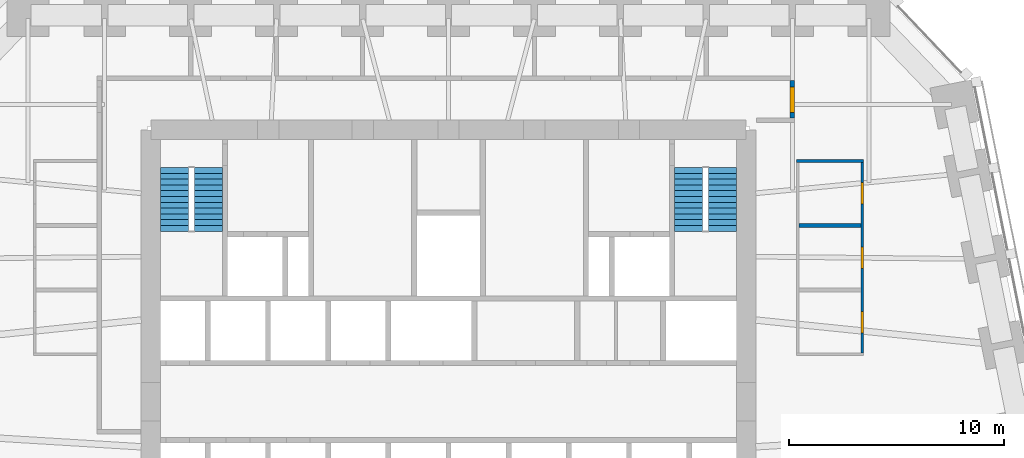
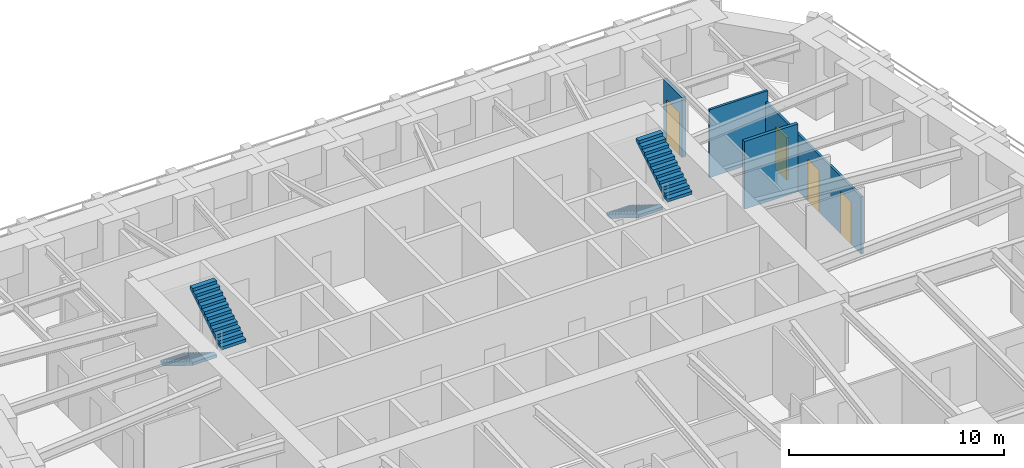
# One storey, part 8 of 10: 4 doors, 4 stair flights, 4 walls, 4 openings, 2 elements without a shape of their own.
"""IFC4 building model written with IfcOpenShell, lengths in metres."""

from ifc_helpers import new_model, si_unit, direction, frame, frame_2d, origin, place, context, subcontext, project, spatial, polyline, rectangle, outline, extrude, material, layer, layer_set, type_object, element, fill, aggregate, save


model = new_model("IFC4")

# Units and contexts
model_context = context("Model", 3, precision=1e-05, world=origin(), true_north=direction((0.0, 1.0)))
body_context = subcontext(model_context, "Body", "Model", "MODEL_VIEW")
ifc_project = project(units=[si_unit("LENGTHUNIT", "METRE"), si_unit("AREAUNIT", "SQUARE_METRE"), si_unit("VOLUMEUNIT", "CUBIC_METRE"), si_unit("PLANEANGLEUNIT", "RADIAN"), si_unit("MASSUNIT", "GRAM", prefix="KILO")], contexts=[model_context])

# Site, building, storey
site_placement = place(None, origin())
site = spatial("IfcSite", under=ifc_project, at=site_placement, CompositionType="ELEMENT")
building_placement = place(site_placement, origin())
building = spatial("IfcBuilding", under=site, at=building_placement, Name="Isbrekke Arena Tower", CompositionType="ELEMENT")
storey_placement = place(building_placement, frame((0.0, 0.0, 72.0)))
storey = spatial("IfcBuildingStorey", under=building, at=storey_placement, Name="L15", CompositionType="ELEMENT", Elevation=72.0)

# Wall
ifc_material_1 = material(Name="Frameless glazed partition, laminated acoustic glass", Category="glass")
ifc_layer_1 = layer(ifc_material_1, 0.1201171875)
ifc_layer_set_1 = layer_set([ifc_layer_1], Name="IW2 GLAZED PARTITION 120")
wall_type_1 = type_object("IfcWallType", Name="IW2 GLAZED PARTITION 120", PredefinedType="PARTITIONING", material=ifc_layer_set_1)
wall_1_placement = place(storey_placement, frame((16.18994140625, 22.39990234375, 0.0), z_axis=(0.0, 0.0, 1.0), x_axis=(1.0, 0.0, 0.0)))
element("IfcWall", 1, at=wall_1_placement, inside=storey, type_object=wall_type_1, Name="IW2 glazed partition 120 L15", PredefinedType="PARTITIONING", context=body_context, shape_type="SweptSolid", body=[
    extrude(rectangle(XDim=3.1201171875, YDim=0.1201171875, at=frame_2d((1.56005859375, 0.0))), origin(), (0.0, 0.0, 1.0), 3.85009765625),
])

# Wall, openings, doors
wall_2_placement = place(storey_placement, frame((19.25, 13.4599609375, 0.0), z_axis=(0.0, 0.0, 1.0), x_axis=(0.0, 1.0, 0.0)))
wall_2 = element("IfcWall", 2, at=wall_2_placement, inside=storey, type_object=wall_type_1, Name="IW2 glazed partition 120 L15", PredefinedType="PARTITIONING", context=body_context, shape_type="SweptSolid", body=[
    extrude(rectangle(XDim=8.880126953125, YDim=0.1201171875, at=frame_2d((4.43994140625, 0.0))), origin(), (0.0, 0.0, 1.0), 3.25),
])
opening_1_placement = place(wall_2_placement, frame((0.93994140625, 0.0, 0.0)))
opening_1 = element("IfcOpeningElement", 3, at=opening_1_placement, cuts=wall_2, Name="Opening D11", PredefinedType="OPENING", context=body_context, shape_type="SweptSolid", body=[
    extrude(rectangle(XDim=1.0, YDim=2.39990234375, at=frame_2d((0.5, 1.199951171875))), frame((0.0, 0.074951171875, 0.0), z_axis=(0.0, -1.0, 0.0), x_axis=(1.0, 0.0, 0.0)), (0.0, 0.0, 1.0), 0.14990234375),
])
opening_2_placement = place(wall_2_placement, frame((3.93994140625, 0.0, 0.0)))
opening_2 = element("IfcOpeningElement", 4, at=opening_2_placement, cuts=wall_2, Name="Opening D11", PredefinedType="OPENING", context=body_context, shape_type="SweptSolid", body=[
    extrude(rectangle(XDim=1.0, YDim=2.39990234375, at=frame_2d((0.5, 1.199951171875))), frame((0.0, 0.074951171875, 0.0), z_axis=(0.0, -1.0, 0.0), x_axis=(1.0, 0.0, 0.0)), (0.0, 0.0, 1.0), 0.14990234375),
])
opening_3_placement = place(wall_2_placement, frame((6.93994140625, 0.0, 0.0)))
opening_3 = element("IfcOpeningElement", 5, at=opening_3_placement, cuts=wall_2, Name="Opening D11", PredefinedType="OPENING", context=body_context, shape_type="SweptSolid", body=[
    extrude(rectangle(XDim=1.0, YDim=2.39990234375, at=frame_2d((0.5, 1.199951171875))), frame((0.0, 0.074951171875, 0.0), z_axis=(0.0, -1.0, 0.0), x_axis=(1.0, 0.0, 0.0)), (0.0, 0.0, 1.0), 0.14990234375),
])
ifc_material_2 = material(Name="Frameless glazed door", Category="glass")
door_type_1 = type_object("IfcDoorType", Name="D11 GLAZED MEETING ROOM DOOR 1000 x 2400", OperationType="SINGLE_SWING_RIGHT", PredefinedType="DOOR", material=ifc_material_2)
door_1_placement = place(opening_1_placement, origin())
door_1 = element("IfcDoor", 6, at=door_1_placement, inside=storey, type_object=door_type_1, Name="D11 quiet room door L15", OperationType="SINGLE_SWING_RIGHT", OverallHeight=2.39990234375, OverallWidth=1.0, PredefinedType="DOOR", context=body_context, shape_type="SweptSolid", body=[
    extrude(rectangle(XDim=1.0, YDim=2.39990234375, at=frame_2d((0.5, 1.199951171875))), frame((0.0, 0.059814453125, 0.0), z_axis=(0.0, -1.0, 0.0), x_axis=(1.0, 0.0, 0.0)), (0.0, 0.0, 1.0), 0.11962890625),
])
fill(opening_1, door_1)
door_2_placement = place(opening_2_placement, origin())
door_2 = element("IfcDoor", 7, at=door_2_placement, inside=storey, type_object=door_type_1, Name="D11 quiet room door L15", OperationType="SINGLE_SWING_RIGHT", OverallHeight=2.39990234375, OverallWidth=1.0, PredefinedType="DOOR", context=body_context, shape_type="SweptSolid", body=[
    extrude(rectangle(XDim=1.0, YDim=2.39990234375, at=frame_2d((0.5, 1.199951171875))), frame((0.0, 0.059814453125, 0.0), z_axis=(0.0, -1.0, 0.0), x_axis=(1.0, 0.0, 0.0)), (0.0, 0.0, 1.0), 0.11962890625),
])
fill(opening_2, door_2)
door_3_placement = place(opening_3_placement, origin())
door_3 = element("IfcDoor", 8, at=door_3_placement, inside=storey, type_object=door_type_1, Name="D11 quiet room door L15", OperationType="SINGLE_SWING_RIGHT", OverallHeight=2.39990234375, OverallWidth=1.0, PredefinedType="DOOR", context=body_context, shape_type="SweptSolid", body=[
    extrude(rectangle(XDim=1.0, YDim=2.39990234375, at=frame_2d((0.5, 1.199951171875))), frame((0.0, 0.059814453125, 0.0), z_axis=(0.0, -1.0, 0.0), x_axis=(1.0, 0.0, 0.0)), (0.0, 0.0, 1.0), 0.11962890625),
])
fill(opening_3, door_3)

# Wall, opening, door
ifc_material_3 = material(Name="Gypsum board fire-cell wall on steel studs, two layers each side", Category="steel")
ifc_layer_2 = layer(ifc_material_3, 0.199951171875)
ifc_layer_set_2 = layer_set([ifc_layer_2], Name="IW3 FIRE-CELL WALL 200")
wall_type_2 = type_object("IfcWallType", Name="IW3 FIRE-CELL WALL 200", PredefinedType="PARTITIONING", material=ifc_layer_set_2)
wall_3_placement = place(storey_placement, frame((16.0, 24.39990234375, 0.0), z_axis=(0.0, 0.0, 1.0), x_axis=(0.0, 1.0, 0.0)))
wall_3 = element("IfcWall", 9, at=wall_3_placement, inside=storey, type_object=wall_type_2, Name="IW3 fire-cell wall 200 L15", PredefinedType="PARTITIONING", context=body_context, shape_type="SweptSolid", body=[
    extrude(rectangle(XDim=1.75, YDim=0.199951171875, at=frame_2d((0.875, 0.0))), origin(), (0.0, 0.0, 1.0), 3.39990234375),
])
opening_4_placement = place(wall_3_placement, frame((0.25, 0.0, 0.0)))
opening_4 = element("IfcOpeningElement", 10, at=opening_4_placement, cuts=wall_3, Name="Opening D12", PredefinedType="OPENING", context=body_context, shape_type="SweptSolid", body=[
    extrude(rectangle(XDim=1.199951171875, YDim=2.39990234375, at=frame_2d((0.60009765625, 1.199951171875))), frame((0.0, 0.11474609375, 0.0), z_axis=(0.0, -1.0, 0.0), x_axis=(1.0, 0.0, 0.0)), (0.0, 0.0, 1.0), 0.229736328125),
])
ifc_material_4 = material(Name="Timber fire door with vision panel", Category="wood")
door_type_2 = type_object("IfcDoorType", Name="D12 SUITE ENTRANCE DOOR 1200 x 2400", OperationType="SINGLE_SWING_LEFT", PredefinedType="DOOR", material=ifc_material_4)
door_4_placement = place(opening_4_placement, origin())
door_4 = element("IfcDoor", 11, at=door_4_placement, inside=storey, type_object=door_type_2, Name="D12 suite entrance A door L15", OperationType="SINGLE_SWING_LEFT", OverallHeight=2.39990234375, OverallWidth=1.199951171875, PredefinedType="DOOR", context=body_context, shape_type="SweptSolid", body=[
    extrude(rectangle(XDim=1.199951171875, YDim=2.39990234375, at=frame_2d((0.60009765625, 1.199951171875))), frame((0.0, 0.099609375, 0.0), z_axis=(0.0, -1.0, 0.0), x_axis=(1.0, 0.0, 0.0)), (0.0, 0.0, 1.0), 0.199462890625),
])
fill(opening_4, door_4)

# Wall
ifc_material_5 = material(Name="Gypsum board acoustic partition on twin steel studs", Category="steel")
ifc_layer_3 = layer(ifc_material_5, 0.175048828125)
ifc_layer_set_3 = layer_set([ifc_layer_3], Name="IW4 ACOUSTIC PARTITION 175")
wall_type_3 = type_object("IfcWallType", Name="IW4 ACOUSTIC PARTITION 175", PredefinedType="PARTITIONING", material=ifc_layer_set_3)
wall_4_placement = place(storey_placement, frame((16.31005859375, 19.39990234375, 0.0), z_axis=(0.0, 0.0, 1.0), x_axis=(1.0, 0.0, 0.0)))
element("IfcWall", 12, at=wall_4_placement, inside=storey, type_object=wall_type_3, Name="IW4 acoustic partition 175 L15", PredefinedType="PARTITIONING", context=body_context, shape_type="SweptSolid", body=[
    extrude(rectangle(XDim=2.8798828125, YDim=0.175048828125, at=frame_2d((1.43994140625, 0.0))), origin(), (0.0, 0.0, 1.0), 3.85009765625),
])

# Stair, stair flights
ifc_material_6 = material(Name="Concrete B45 (C45/55) precast", Category="concrete")
stair_type = type_object("IfcStairType", Name="ST40 STAIR 1300 WIDE, 24 RISERS 167", PredefinedType="HALF_TURN_STAIR", material=ifc_material_6)
stair_1_placement = place(storey_placement, origin())
stair_1 = element("IfcStair", 13, at=stair_1_placement, inside=storey, type_object=stair_type, Name="ST1 stair L15", PredefinedType="HALF_TURN_STAIR")
ifc_material_7 = material(Name="Concrete B45 (C45/55) precast", Category="concrete")
stair_flight_type = type_object("IfcStairFlightType", Name="SF 1300 FLIGHT", PredefinedType="STRAIGHT", material=ifc_material_7)
stair_flight_1_placement = place(storey_placement, frame((-12.75, 22.10009765625, 0.0), z_axis=(0.0, 0.0, 1.0), x_axis=(0.0, -1.0, 0.0)))
stair_flight_1 = element("IfcStairFlight", 14, at=stair_flight_1_placement, type_object=stair_flight_type, Name="ST1 flight 1", NumberOfRisers=12, NumberOfTreads=11, PredefinedType="STRAIGHT", RiserHeight=0.166666667, TreadLength=0.27, context=body_context, shape_type="SweptSolid", body=[
    extrude(outline(polyline([(0.0, 0.0), (0.0, 0.166748046875), (0.27001953125, 0.166748046875), (0.27001953125, 0.333251953125), (0.5400390625, 0.333251953125), (0.5400390625, 0.5), (0.81005859375, 0.5), (0.81005859375, 0.666748046875), (1.080078125, 0.666748046875), (1.080078125, 0.833251953125), (1.35009765625, 0.833251953125), (1.35009765625, 1.0), (1.6201171875, 1.0), (1.6201171875, 1.166748046875), (1.889892578125, 1.166748046875), (1.889892578125, 1.333251953125), (2.159912109375, 1.333251953125), (2.159912109375, 1.5), (2.429931640625, 1.5), (2.429931640625, 1.666748046875), (2.699951171875, 1.666748046875), (2.699951171875, 1.833251953125), (2.969970703125, 1.833251953125), (2.969970703125, 2.0), (2.969970703125, 1.6572265625), (0.285400390625, 0.0), (0.0, 0.0)])), frame((0.0, 0.64990234375, 0.0), z_axis=(0.0, -1.0, 0.0), x_axis=(1.0, 0.0, 0.0)), (0.0, 0.0, 1.0), 1.300048828125),
])
stair_flight_2_placement = place(storey_placement, frame((-11.175048828125, 19.1298828125, 2.0), z_axis=(0.0, 0.0, 1.0), x_axis=(0.0, 1.0, 0.0)))
stair_flight_2 = element("IfcStairFlight", 15, at=stair_flight_2_placement, type_object=stair_flight_type, Name="ST1 flight 2", NumberOfRisers=12, NumberOfTreads=11, PredefinedType="STRAIGHT", RiserHeight=0.166666667, TreadLength=0.27, context=body_context, shape_type="SweptSolid", body=[
    extrude(outline(polyline([(0.0, 0.0), (0.0, 0.166748046875), (0.27001953125, 0.166748046875), (0.27001953125, 0.333251953125), (0.5400390625, 0.333251953125), (0.5400390625, 0.5), (0.81005859375, 0.5), (0.81005859375, 0.666748046875), (1.080078125, 0.666748046875), (1.080078125, 0.833251953125), (1.35009765625, 0.833251953125), (1.35009765625, 1.0), (1.6201171875, 1.0), (1.6201171875, 1.166748046875), (1.889892578125, 1.166748046875), (1.889892578125, 1.333251953125), (2.159912109375, 1.333251953125), (2.159912109375, 1.5), (2.429931640625, 1.5), (2.429931640625, 1.666748046875), (2.699951171875, 1.666748046875), (2.699951171875, 1.833251953125), (2.969970703125, 1.833251953125), (2.969970703125, 2.0), (2.969970703125, 1.6572265625), (0.285400390625, 0.0), (0.0, 0.0)])), frame((0.0, 0.64990234375, 0.0), z_axis=(0.0, -1.0, 0.0), x_axis=(1.0, 0.0, 0.0)), (0.0, 0.0, 1.0), 1.300048828125),
])
aggregate(stair_1, [stair_flight_1, stair_flight_2])

stair_2_placement = place(storey_placement, origin())
stair_2 = element("IfcStair", 16, at=stair_2_placement, inside=storey, type_object=stair_type, Name="ST2 stair L15", PredefinedType="HALF_TURN_STAIR")
stair_flight_3_placement = place(storey_placement, frame((11.175048828125, 22.10009765625, 0.0), z_axis=(0.0, 0.0, 1.0), x_axis=(0.0, -1.0, 0.0)))
stair_flight_3 = element("IfcStairFlight", 17, at=stair_flight_3_placement, type_object=stair_flight_type, Name="ST2 flight 1", NumberOfRisers=12, NumberOfTreads=11, PredefinedType="STRAIGHT", RiserHeight=0.166666667, TreadLength=0.27, context=body_context, shape_type="SweptSolid", body=[
    extrude(outline(polyline([(0.0, 0.0), (0.0, 0.166748046875), (0.27001953125, 0.166748046875), (0.27001953125, 0.333251953125), (0.5400390625, 0.333251953125), (0.5400390625, 0.5), (0.81005859375, 0.5), (0.81005859375, 0.666748046875), (1.080078125, 0.666748046875), (1.080078125, 0.833251953125), (1.35009765625, 0.833251953125), (1.35009765625, 1.0), (1.6201171875, 1.0), (1.6201171875, 1.166748046875), (1.889892578125, 1.166748046875), (1.889892578125, 1.333251953125), (2.159912109375, 1.333251953125), (2.159912109375, 1.5), (2.429931640625, 1.5), (2.429931640625, 1.666748046875), (2.699951171875, 1.666748046875), (2.699951171875, 1.833251953125), (2.969970703125, 1.833251953125), (2.969970703125, 2.0), (2.969970703125, 1.6572265625), (0.285400390625, 0.0), (0.0, 0.0)])), frame((0.0, 0.64990234375, 0.0), z_axis=(0.0, -1.0, 0.0), x_axis=(1.0, 0.0, 0.0)), (0.0, 0.0, 1.0), 1.300048828125),
])
stair_flight_4_placement = place(storey_placement, frame((12.75, 19.1298828125, 2.0), z_axis=(0.0, 0.0, 1.0), x_axis=(0.0, 1.0, 0.0)))
stair_flight_4 = element("IfcStairFlight", 18, at=stair_flight_4_placement, type_object=stair_flight_type, Name="ST2 flight 2", NumberOfRisers=12, NumberOfTreads=11, PredefinedType="STRAIGHT", RiserHeight=0.166666667, TreadLength=0.27, context=body_context, shape_type="SweptSolid", body=[
    extrude(outline(polyline([(0.0, 0.0), (0.0, 0.166748046875), (0.27001953125, 0.166748046875), (0.27001953125, 0.333251953125), (0.5400390625, 0.333251953125), (0.5400390625, 0.5), (0.81005859375, 0.5), (0.81005859375, 0.666748046875), (1.080078125, 0.666748046875), (1.080078125, 0.833251953125), (1.35009765625, 0.833251953125), (1.35009765625, 1.0), (1.6201171875, 1.0), (1.6201171875, 1.166748046875), (1.889892578125, 1.166748046875), (1.889892578125, 1.333251953125), (2.159912109375, 1.333251953125), (2.159912109375, 1.5), (2.429931640625, 1.5), (2.429931640625, 1.666748046875), (2.699951171875, 1.666748046875), (2.699951171875, 1.833251953125), (2.969970703125, 1.833251953125), (2.969970703125, 2.0), (2.969970703125, 1.6572265625), (0.285400390625, 0.0), (0.0, 0.0)])), frame((0.0, 0.64990234375, 0.0), z_axis=(0.0, -1.0, 0.0), x_axis=(1.0, 0.0, 0.0)), (0.0, 0.0, 1.0), 1.300048828125),
])
aggregate(stair_2, [stair_flight_3, stair_flight_4])

save(model, "model.ifc")
